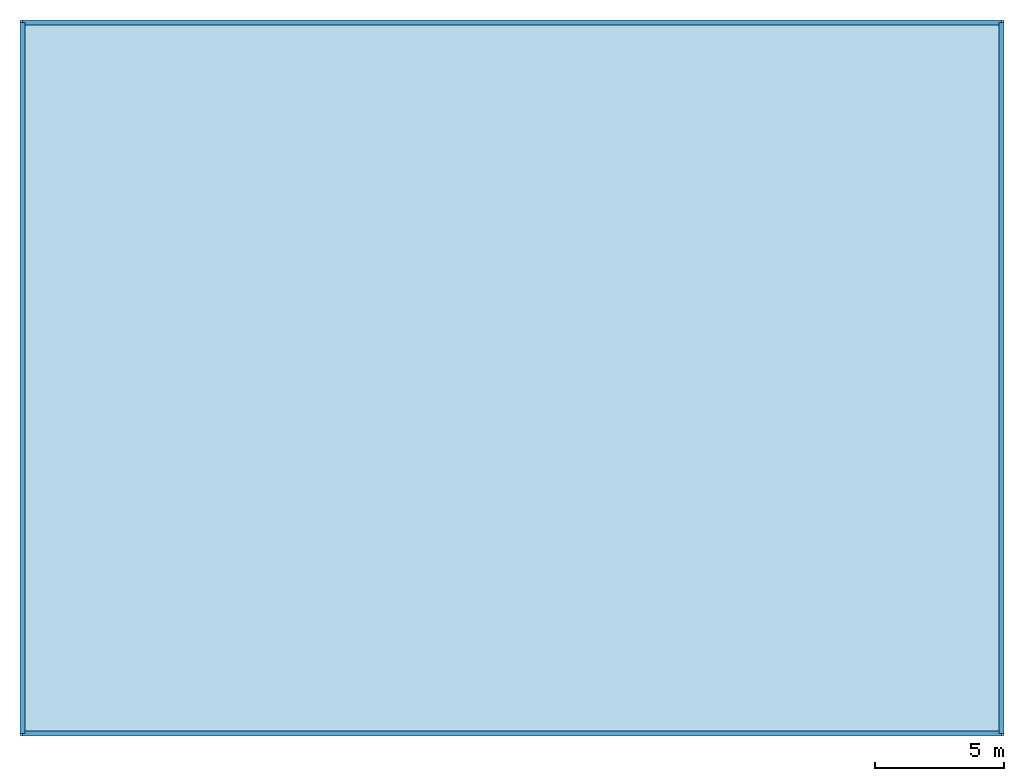
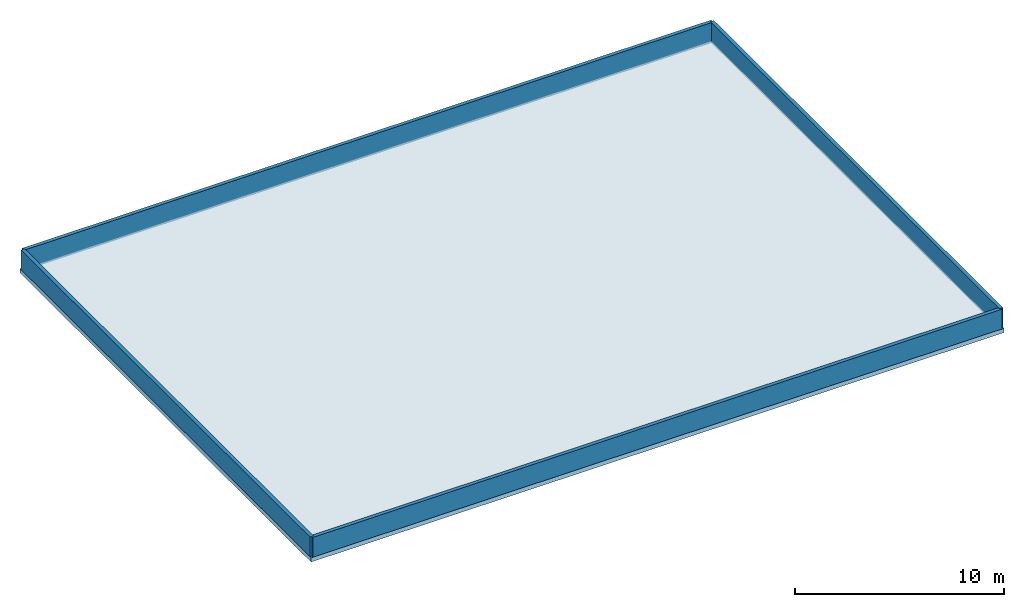
# One storey, part 1 of 2: 4 walls, 1 slab.
"""IFC4 building model written with IfcOpenShell, lengths in metres."""

from ifc_helpers import new_model, si_unit, direction, frame, frame_2d, origin, place, context, subcontext, project, spatial, polyline, rectangle, outline, extrude, material, layer, layer_set, type_object, element, save


model = new_model("IFC4")

# Units and contexts
model_context = context("Model", 3, precision=1e-05, world=origin(), true_north=direction((0.0, 1.0)))
body_context = subcontext(model_context, "Body", "Model", "MODEL_VIEW")
ifc_project = project(units=[si_unit("LENGTHUNIT", "METRE"), si_unit("AREAUNIT", "SQUARE_METRE"), si_unit("VOLUMEUNIT", "CUBIC_METRE"), si_unit("PLANEANGLEUNIT", "RADIAN"), si_unit("MASSUNIT", "GRAM", prefix="KILO")], contexts=[model_context])

# Site, building, storey
site_placement = place(None, origin())
site = spatial("IfcSite", under=ifc_project, at=site_placement, CompositionType="ELEMENT")
building_placement = place(site_placement, origin())
building = spatial("IfcBuilding", under=site, at=building_placement, Name="Varnel Quay Broadcast Tower", CompositionType="ELEMENT")
storey_placement = place(building_placement, frame((0.0, 0.0, 332.800048828125)))
storey = spatial("IfcBuildingStorey", under=building, at=storey_placement, Name="Roof Cap", CompositionType="ELEMENT", Elevation=332.800048828125)

# Slab
ifc_material_1 = material(Name="Concrete CSA A23.3 C50/60", Category="concrete")
ifc_layer_1 = layer(ifc_material_1, 0.25, Name="Concrete CSA A23.3 C50/60")
ifc_layer_set_1 = layer_set([ifc_layer_1], Name="Concrete CSA A23.3 C50/60")
slab_type = type_object("IfcSlabType", Name="Slab_Roof250", PredefinedType="ROOF", material=ifc_layer_set_1)
slab_placement = place(storey_placement, frame((0.0, 0.0, -0.25)))
element("IfcSlab", 1, at=slab_placement, inside=storey, type_object=slab_type, Name="CROWN FRAME Closed Ring Roof Cap Slab", PredefinedType="ROOF", context=body_context, shape_type="SweptSolid", body=[
    extrude(outline(polyline([(14.89990234375, 16.10009765625), (53.10009765625, 16.10009765625), (53.10009765625, 43.89990234375), (14.89990234375, 43.89990234375), (14.89990234375, 16.10009765625)])), origin(), (0.0, 0.0, 1.0), 0.25),
])

# Walls
ifc_material_2 = material(Name="Precast Architectural Concrete C40/50", Category="concrete")
ifc_layer_2 = layer(ifc_material_2, 0.199951171875, Name="Precast Architectural Concrete C40/50")
ifc_layer_set_2 = layer_set([ifc_layer_2], Name="Precast Architectural Concrete C40/50")
wall_type = type_object("IfcWallType", Name="Wall_Parapet200", PredefinedType="PARAPET", material=ifc_layer_set_2)
wall_1_placement = place(storey_placement, frame((15.0, 16.199951171875, 0.0), z_axis=(0.0, 0.0, 1.0), x_axis=(0.0, 1.0, 0.0)))
element("IfcWall", 2, at=wall_1_placement, inside=storey, type_object=wall_type, Name="Roof Cap Perimeter Maintenance Parapet 1", PredefinedType="PARAPET", context=body_context, shape_type="SweptSolid", body=[
    extrude(rectangle(XDim=27.60009765625, YDim=0.199951171875, at=frame_2d((13.800048828125, 0.0))), origin(), (0.0, 0.0, 1.0), 1.14990234375),
])
wall_2_placement = place(storey_placement, frame((15.0, 43.800048828125, 0.0), z_axis=(0.0, 0.0, 1.0), x_axis=(1.0, 0.0, 0.0)))
element("IfcWall", 3, at=wall_2_placement, inside=storey, type_object=wall_type, Name="Roof Cap Perimeter Maintenance Parapet 2", PredefinedType="PARAPET", context=body_context, shape_type="SweptSolid", body=[
    extrude(rectangle(XDim=38.0, YDim=0.199951171875, at=frame_2d((19.0, 0.0))), origin(), (0.0, 0.0, 1.0), 1.14990234375),
])
wall_3_placement = place(storey_placement, frame((53.0, 43.800048828125, 0.0), z_axis=(0.0, 0.0, 1.0), x_axis=(0.0, -1.0, 0.0)))
element("IfcWall", 4, at=wall_3_placement, inside=storey, type_object=wall_type, Name="Roof Cap Perimeter Maintenance Parapet 3", PredefinedType="PARAPET", context=body_context, shape_type="SweptSolid", body=[
    extrude(rectangle(XDim=27.60009765625, YDim=0.199951171875, at=frame_2d((13.800048828125, 0.0))), origin(), (0.0, 0.0, 1.0), 1.14990234375),
])
wall_4_placement = place(storey_placement, frame((53.0, 16.199951171875, 0.0), z_axis=(0.0, 0.0, 1.0), x_axis=(-1.0, 0.0, 0.0)))
element("IfcWall", 5, at=wall_4_placement, inside=storey, type_object=wall_type, Name="Roof Cap Perimeter Maintenance Parapet 4", PredefinedType="PARAPET", context=body_context, shape_type="SweptSolid", body=[
    extrude(rectangle(XDim=38.0, YDim=0.199951171875, at=frame_2d((19.0, 0.0))), origin(), (0.0, 0.0, 1.0), 1.14990234375),
])

save(model, "model.ifc")
